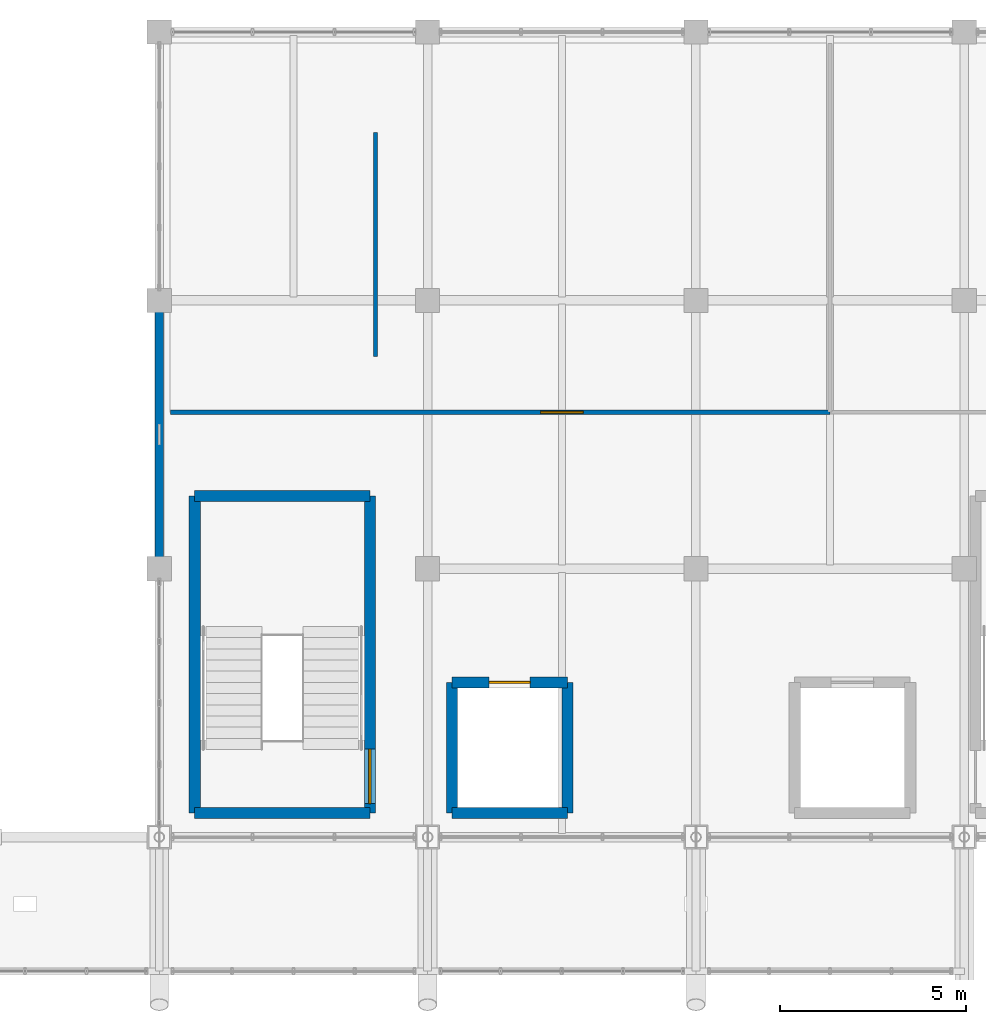
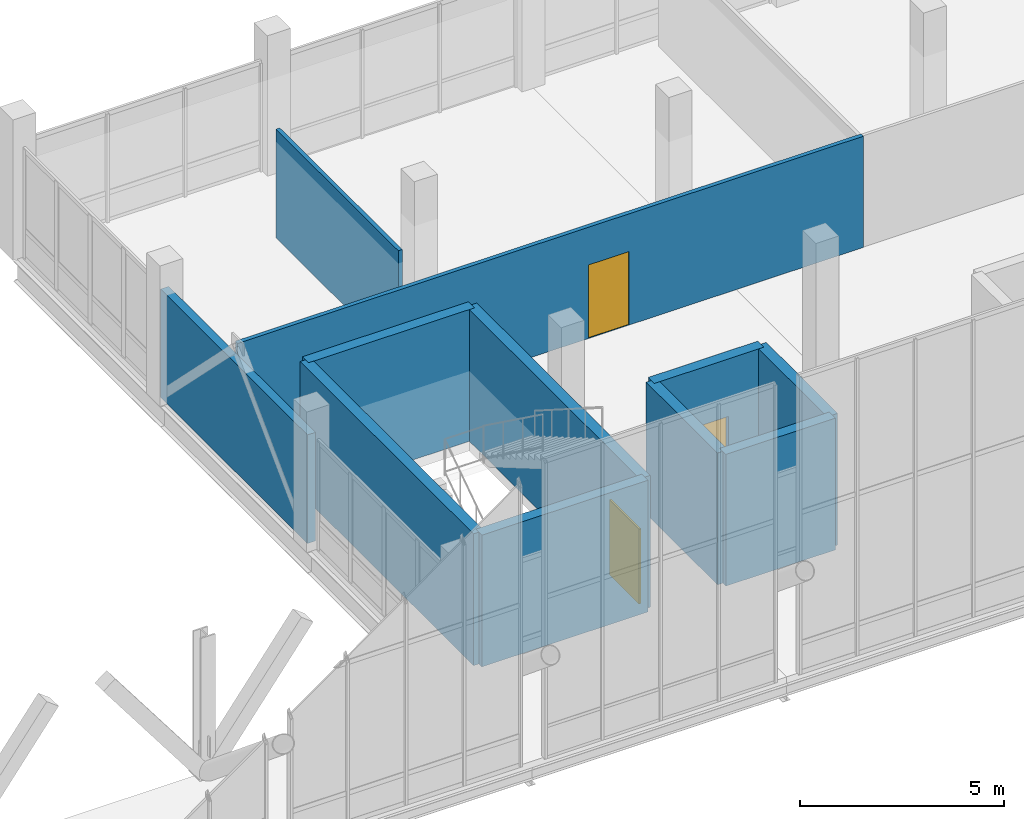
# One storey, part 93 of 102: 11 walls, 3 doors, 3 openings.
"""IFC4 building model written with IfcOpenShell, lengths in metres."""

from ifc_helpers import new_model, si_unit, direction, frame, frame_2d, origin, place, context, subcontext, project, spatial, rectangle, extrude, material, layer, layer_set, type_object, element, fill, save


model = new_model("IFC4")

# Units and contexts
model_context = context("Model", 3, precision=1e-05, world=origin(), true_north=direction((0.0, 1.0)))
body_context = subcontext(model_context, "Body", "Model", "MODEL_VIEW")
ifc_project = project(units=[si_unit("LENGTHUNIT", "METRE"), si_unit("AREAUNIT", "SQUARE_METRE"), si_unit("VOLUMEUNIT", "CUBIC_METRE"), si_unit("PLANEANGLEUNIT", "RADIAN"), si_unit("MASSUNIT", "GRAM", prefix="KILO")], contexts=[model_context])

# Site, building, storey
site_placement = place(None, origin())
site = spatial("IfcSite", under=ifc_project, at=site_placement, CompositionType="ELEMENT")
building_placement = place(site_placement, origin())
building = spatial("IfcBuilding", under=site, at=building_placement, Name="Yarey Park Central Fire Station", CompositionType="ELEMENT")
storey_placement = place(building_placement, frame((0.0, 0.0, 6.0)))
storey = spatial("IfcBuildingStorey", under=building, at=storey_placement, Name="L02", CompositionType="ELEMENT", Elevation=6.0)

# Walls
ifc_material_1 = material(Name="Concrete C35/45", Category="concrete")
ifc_layer_1 = layer(ifc_material_1, 0.22998046875)
ifc_layer_set_1 = layer_set([ifc_layer_1], Name="Concrete C35/45")
wall_type_1 = type_object("IfcWallType", Name="ENV_WALL_INS230", PredefinedType="STANDARD", material=ifc_layer_set_1)
wall_1_placement = place(storey_placement, frame((115.199951171875, 108.0, 0.0), z_axis=(0.0, 0.0, 1.0), x_axis=(0.0, -1.0, 0.0)))
element("IfcWall", 1, at=wall_1_placement, inside=storey, type_object=wall_type_1, Name="EW_L02_V4_WB", PredefinedType="STANDARD", context=body_context, shape_type="SweptSolid", body=[
    extrude(rectangle(XDim=7.199951171875, YDim=0.22998046875, at=frame_2d((3.60009765625, 0.0))), origin(), (0.0, 0.0, 1.0), 3.2470703125),
])
ifc_material_2 = material(Name="Concrete C40/50", Category="concrete")
ifc_layer_2 = layer(ifc_material_2, 0.27001953125)
ifc_layer_set_2 = layer_set([ifc_layer_2], Name="Concrete C40/50")
wall_type_2 = type_object("IfcWallType", Name="INT_CORE_RC270", PredefinedType="SHEAR", material=ifc_layer_set_2)
wall_2_placement = place(storey_placement, frame((123.050048828125, 94.25, 0.0), z_axis=(0.0, 0.0, 1.0), x_axis=(1.0, 0.0, 0.0)))
element("IfcWall", 2, at=wall_2_placement, inside=storey, type_object=wall_type_2, Name="LWALL_C1_L02_S", PredefinedType="SHEAR", context=body_context, shape_type="SweptSolid", body=[
    extrude(rectangle(XDim=3.099853515625, YDim=0.300048828125, at=frame_2d((1.5498046875, 0.0))), origin(), (0.0, 0.0, 1.0), 3.93994140625),
])

# Wall, opening, door
wall_3_placement = place(storey_placement, frame((126.14990234375, 97.75, 0.0), z_axis=(0.0, 0.0, 1.0), x_axis=(-1.0, 0.0, 0.0)))
wall_3 = element("IfcWall", 3, at=wall_3_placement, inside=storey, type_object=wall_type_2, Name="LWALL_C1_L02_N", PredefinedType="SHEAR", context=body_context, shape_type="SweptSolid", body=[
    extrude(rectangle(XDim=3.099853515625, YDim=0.300048828125, at=frame_2d((1.5498046875, 0.0))), origin(), (0.0, 0.0, 1.0), 3.93994140625),
])
opening_1_placement = place(wall_3_placement, frame((1.0, 0.0, 0.0)))
opening_1 = element("IfcOpeningElement", 4, at=opening_1_placement, cuts=wall_3, Name="Opening LD-11", PredefinedType="OPENING", context=body_context, shape_type="SweptSolid", body=[
    extrude(rectangle(XDim=1.10009765625, YDim=2.219970703125, at=frame_2d((0.550048828125, 1.10986328125))), frame((0.0, 0.159912109375, 0.0), z_axis=(0.0, -1.0, 0.0), x_axis=(1.0, 0.0, 0.0)), (0.0, 0.0, 1.0), 0.320068359375),
])
ifc_material_3 = material(Name="Stainless Steel AISI 316L", Category="steel")
door_type_1 = type_object("IfcDoorType", Name="DR_LD_1100", OperationType="NOTDEFINED", PredefinedType="DOOR", material=ifc_material_3)
door_1_placement = place(opening_1_placement, origin())
door_1 = element("IfcDoor", 5, at=door_1_placement, inside=storey, type_object=door_type_1, Name="Lift Landing Door LF-1-L02", OperationType="SLIDING_TO_LEFT", OverallHeight=2.219970703125, OverallWidth=1.10009765625, PredefinedType="DOOR", context=body_context, shape_type="SweptSolid", body=[
    extrude(rectangle(XDim=1.10009765625, YDim=2.219970703125, at=frame_2d((0.550048828125, 1.10986328125))), frame((0.0, 0.02490234375, 0.0), z_axis=(0.0, -1.0, 0.0), x_axis=(1.0, 0.0, 0.0)), (0.0, 0.0, 1.0), 0.050048828125),
])
fill(opening_1, door_1)

# Walls
for number, where, z_axis, x_axis, name in (
    (6, (123.050048828125, 97.75, 0.0), (0.0, 0.0, 1.0), (0.0, -1.0, 0.0), "LWALL_C1_L02_W"),
    (7, (126.14990234375, 94.25, 0.0), (0.0, 0.0, 1.0), (0.0, 1.0, 0.0), "LWALL_C1_L02_E"),
):
    element("IfcWall", number, at=place(storey_placement, frame(where, z_axis=z_axis, x_axis=x_axis)), inside=storey, type_object=wall_type_2, Name=name, PredefinedType="SHEAR", context=body_context, shape_type="SweptSolid", body=[
        extrude(rectangle(XDim=3.5, YDim=0.300048828125, at=frame_2d((1.75, 0.0))), origin(), (0.0, 0.0, 1.0), 3.93994140625),
    ])
ifc_layer_3 = layer(ifc_material_2, 0.300048828125)
ifc_layer_set_3 = layer_set([ifc_layer_3], Name="Concrete C40/50")
wall_type_3 = type_object("IfcWallType", Name="INT_CORE_RC300", PredefinedType="SHEAR", material=ifc_layer_set_3)
for number, where, z_axis, x_axis, name in (
    (8, (116.14990234375, 94.25, 0.0), (0.0, 0.0, 1.0), (1.0, 0.0, 0.0), "CWALL_C1_L02_S"),
    (9, (120.85009765625, 102.75, 0.0), (0.0, 0.0, 1.0), (-1.0, 0.0, 0.0), "CWALL_C1_L02_N"),
):
    element("IfcWall", number, at=place(storey_placement, frame(where, z_axis=z_axis, x_axis=x_axis)), inside=storey, type_object=wall_type_3, Name=name, PredefinedType="SHEAR", context=body_context, shape_type="SweptSolid", body=[
        extrude(rectangle(XDim=4.7001953125, YDim=0.300048828125, at=frame_2d((2.35009765625, 0.0))), origin(), (0.0, 0.0, 1.0), 3.93994140625),
    ])
wall_4_placement = place(storey_placement, frame((116.14990234375, 102.75, 0.0), z_axis=(0.0, 0.0, 1.0), x_axis=(0.0, -1.0, 0.0)))
element("IfcWall", 10, at=wall_4_placement, inside=storey, type_object=wall_type_3, Name="CWALL_C1_L02_W", PredefinedType="SHEAR", context=body_context, shape_type="SweptSolid", body=[
    extrude(rectangle(XDim=8.5, YDim=0.300048828125, at=frame_2d((4.25, 0.0))), origin(), (0.0, 0.0, 1.0), 3.93994140625),
])

# Wall, opening, door
wall_5_placement = place(storey_placement, frame((120.85009765625, 94.25, 0.0), z_axis=(0.0, 0.0, 1.0), x_axis=(0.0, 1.0, 0.0)))
wall_5 = element("IfcWall", 11, at=wall_5_placement, inside=storey, type_object=wall_type_3, Name="CWALL_C1_L02_E", PredefinedType="SHEAR", context=body_context, shape_type="SweptSolid", body=[
    extrude(rectangle(XDim=8.5, YDim=0.300048828125, at=frame_2d((4.25, 0.0))), origin(), (0.0, 0.0, 1.0), 3.93994140625),
])
opening_2_placement = place(wall_5_placement, frame((0.25, 0.0, 0.0)))
opening_2 = element("IfcOpeningElement", 12, at=opening_2_placement, cuts=wall_5, Name="Opening SD-146", PredefinedType="OPENING", context=body_context, shape_type="SweptSolid", body=[
    extrude(rectangle(XDim=1.4599609375, YDim=2.239990234375, at=frame_2d((0.72998046875, 1.1201171875))), frame((0.0, 0.159912109375, 0.0), z_axis=(0.0, -1.0, 0.0), x_axis=(1.0, 0.0, 0.0)), (0.0, 0.0, 1.0), 0.320068359375),
])
ifc_material_4 = material(Name="Galvanized Hollow Metal Door", Category="metal")
door_type_2 = type_object("IfcDoorType", Name="DR_STAIR_1460", OperationType="NOTDEFINED", PredefinedType="DOOR", material=ifc_material_4)
door_2_placement = place(opening_2_placement, origin())
door_2 = element("IfcDoor", 13, at=door_2_placement, inside=storey, type_object=door_type_2, Name="DOOR_STAIR_C1_L02", OperationType="SINGLE_SWING_RIGHT", OverallHeight=2.239990234375, OverallWidth=1.4599609375, PredefinedType="DOOR", context=body_context, shape_type="SweptSolid", body=[
    extrude(rectangle(XDim=1.4599609375, YDim=2.239990234375, at=frame_2d((0.72998046875, 1.1201171875))), frame((0.0, 0.02490234375, 0.0), z_axis=(0.0, -1.0, 0.0), x_axis=(1.0, 0.0, 0.0)), (0.0, 0.0, 1.0), 0.050048828125),
])
fill(opening_2, door_2)

# Wall
ifc_material_5 = material(Name="Operable Acoustic Panel Partition", Category="metal")
ifc_layer_4 = layer(ifc_material_5, 0.112060546875)
ifc_layer_set_4 = layer_set([ifc_layer_4], Name="Operable Acoustic Panel Partition")
wall_type_4 = type_object("IfcWallType", Name="INT_WALL_MOV112", PredefinedType="MOVABLE", material=ifc_layer_set_4)
wall_6_placement = place(storey_placement, frame((121.0, 106.5, 0.0), z_axis=(0.0, 0.0, 1.0), x_axis=(0.0, 1.0, 0.0)))
element("IfcWall", 14, at=wall_6_placement, inside=storey, type_object=wall_type_4, Name="MOV_L02_OPS", PredefinedType="MOVABLE", context=body_context, shape_type="SweptSolid", body=[
    extrude(rectangle(XDim=6.0, YDim=0.112060546875, at=frame_2d((3.0, 0.0))), origin(), (0.0, 0.0, 1.0), 3.2470703125),
])

# Wall, opening, door
ifc_material_6 = material(Name="Gypsum Acoustic Partition", Category="gypsum")
ifc_layer_5 = layer(ifc_material_6, 0.117919921875)
ifc_layer_set_5 = layer_set([ifc_layer_5], Name="Gypsum Acoustic Partition")
wall_type_5 = type_object("IfcWallType", Name="INT_WALL_PT118", PredefinedType="STANDARD", material=ifc_layer_set_5)
wall_7_placement = place(storey_placement, frame((115.5, 105.0, 0.0), z_axis=(0.0, 0.0, 1.0), x_axis=(1.0, 0.0, 0.0)))
wall_7 = element("IfcWall", 15, at=wall_7_placement, inside=storey, type_object=wall_type_5, Name="PART_SPC_L02_OPS1_SOUTH", PredefinedType="STANDARD", context=body_context, shape_type="SweptSolid", body=[
    extrude(rectangle(XDim=17.699951171875, YDim=0.117919921875, at=frame_2d((8.85009765625, 0.0))), origin(), (0.0, 0.0, 1.0), 3.327880859375),
])
opening_3_placement = place(wall_7_placement, frame((9.929931640625, 0.0, 0.0)))
opening_3 = element("IfcOpeningElement", 16, at=opening_3_placement, cuts=wall_7, Name="Opening ID-114", PredefinedType="OPENING", context=body_context, shape_type="SweptSolid", body=[
    extrude(rectangle(XDim=1.139892578125, YDim=2.199951171875, at=frame_2d((0.56982421875, 1.10009765625))), frame((0.0, 0.06884765625, 0.0), z_axis=(0.0, -1.0, 0.0), x_axis=(1.0, 0.0, 0.0)), (0.0, 0.0, 1.0), 0.137939453125),
])
ifc_material_7 = material(Name="Hardwood Acoustic Leaf", Category="wood")
door_type_3 = type_object("IfcDoorType", Name="DR_INT_1140", OperationType="NOTDEFINED", PredefinedType="DOOR", material=ifc_material_7)
door_3_placement = place(opening_3_placement, origin())
door_3 = element("IfcDoor", 17, at=door_3_placement, inside=storey, type_object=door_type_3, Name="DOOR_SPC_L02_OPS1", OperationType="SINGLE_SWING_LEFT", OverallHeight=2.199951171875, OverallWidth=1.139892578125, PredefinedType="DOOR", context=body_context, shape_type="SweptSolid", body=[
    extrude(rectangle(XDim=1.139892578125, YDim=2.199951171875, at=frame_2d((0.56982421875, 1.10009765625))), frame((0.0, 0.02490234375, 0.0), z_axis=(0.0, -1.0, 0.0), x_axis=(1.0, 0.0, 0.0)), (0.0, 0.0, 1.0), 0.050048828125),
])
fill(opening_3, door_3)

save(model, "model.ifc")
